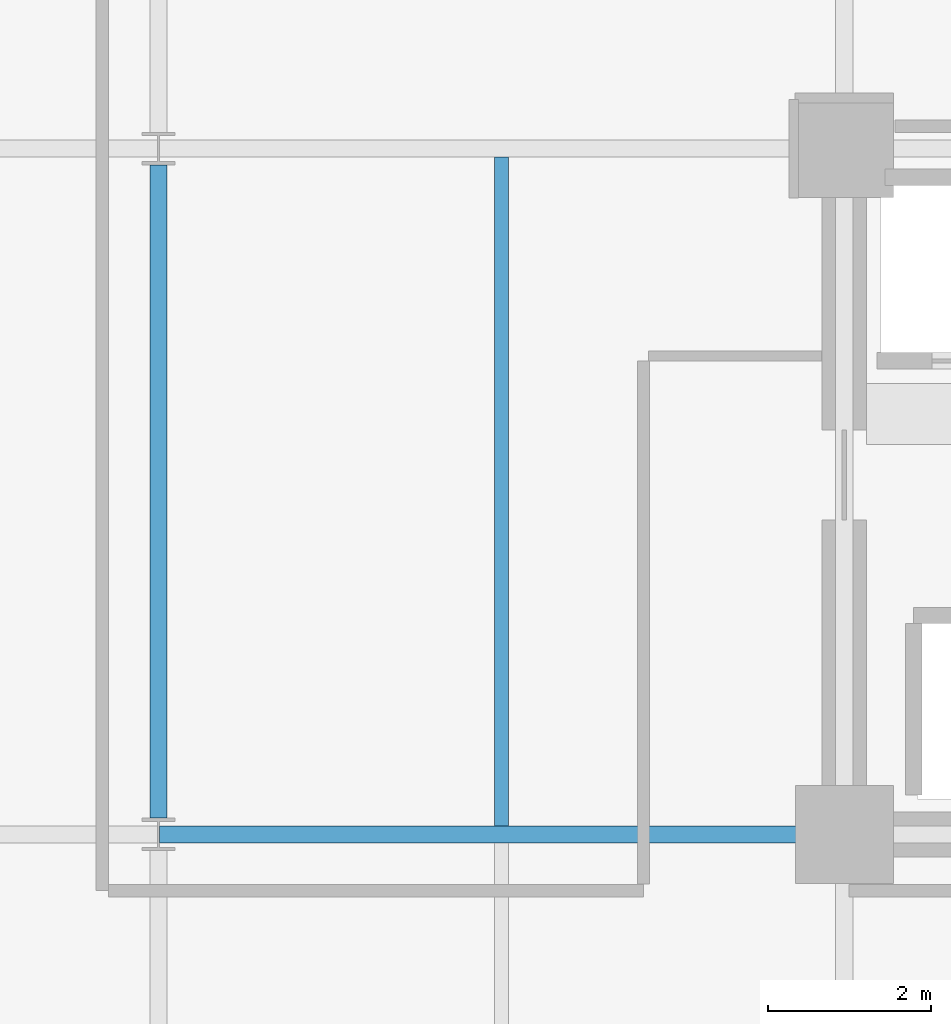
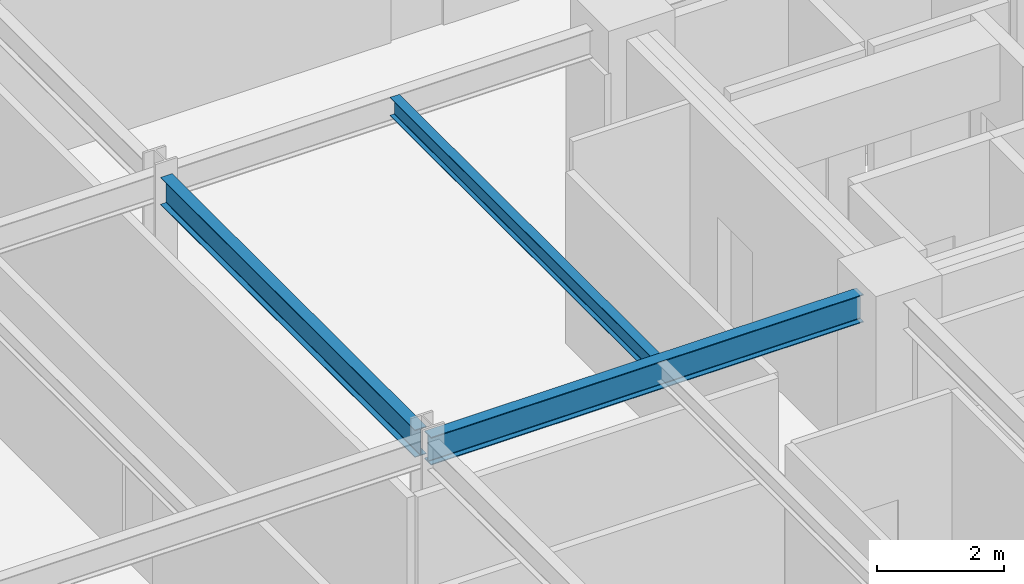
# One storey, part 5 of 30: 3 beams.
"""IFC4 building model written with IfcOpenShell, lengths in metres."""

from ifc_helpers import new_model, si_unit, direction, frame, origin, origin_2d, place, context, subcontext, project, spatial, i_section, extrude, material, material_profile, profile_set, type_object, element, save


model = new_model("IFC4")

# Units and contexts
model_context = context("Model", 3, precision=1e-05, world=origin(), true_north=direction((0.0, 1.0)))
body_context = subcontext(model_context, "Body", "Model", "MODEL_VIEW")
ifc_project = project(units=[si_unit("LENGTHUNIT", "METRE"), si_unit("AREAUNIT", "SQUARE_METRE"), si_unit("VOLUMEUNIT", "CUBIC_METRE"), si_unit("PLANEANGLEUNIT", "RADIAN"), si_unit("MASSUNIT", "GRAM", prefix="KILO")], contexts=[model_context])

# Site, building, storey
site_placement = place(None, origin())
site = spatial("IfcSite", under=ifc_project, at=site_placement, CompositionType="ELEMENT")
building_placement = place(site_placement, origin())
building = spatial("IfcBuilding", under=site, at=building_placement, Name="Nerrivon Quay Data Exchange", CompositionType="ELEMENT")
storey_placement = place(building_placement, frame((0.0, 0.0, 117.199951171875)))
storey = spatial("IfcBuildingStorey", under=building, at=storey_placement, Name="L27", CompositionType="ELEMENT", Elevation=117.199951171875)

# Beams
ifc_material = material(Name="Steel Grade 350", Category="steel")
ifc_material_profile_1 = material_profile(ifc_material, i_section(OverallWidth=0.208984375, OverallDepth=0.532958984375, WebThickness=0.01025390625, FlangeThickness=0.015625, FilletRadius=0.013916015625, at=origin_2d()), Name="530UB92.4")
ifc_profile_set_1 = profile_set([ifc_material_profile_1], Name="Steel Grade 350")
beam_type_1 = type_object("IfcBeamType", Name="BM-G3-530UB92", PredefinedType="BEAM", material=ifc_profile_set_1)
beam_1_placement = place(storey_placement, frame((8.41259765625, 8.39990234375, 3.55859375), z_axis=(1.0, 0.0, 0.0), x_axis=(0.0, 1.0, 0.0)))
element("IfcBeam", 1, at=beam_1_placement, inside=storey, type_object=beam_type_1, Name="L27 EW Girder Y=8.4 (8.4..16.8)", PredefinedType="BEAM", context=body_context, shape_type="SweptSolid", body=[
    extrude(i_section(OverallWidth=0.208984375, OverallDepth=0.532958984375, WebThickness=0.01025390625, FlangeThickness=0.015625, FilletRadius=0.013916015625, at=origin_2d()), origin(), (0.0, 0.0, 1.0), 7.847412109375),
])
ifc_material_profile_2 = material_profile(ifc_material, i_section(OverallWidth=0.208984375, OverallDepth=0.528076171875, WebThickness=0.009521484375, FlangeThickness=0.01318359375, FilletRadius=0.013916015625, at=origin_2d()), Name="530UB82.0")
ifc_profile_set_2 = profile_set([ifc_material_profile_2], Name="Steel Grade 350")
beam_type_2 = type_object("IfcBeamType", Name="BM-G4-530UB82", PredefinedType="BEAM", material=ifc_profile_set_2)
beam_2_placement = place(storey_placement, frame((8.39990234375, 8.60009765625, 3.56103515625), z_axis=(0.0, 1.0, 0.0), x_axis=(-1.0, 0.0, 0.0)))
element("IfcBeam", 2, at=beam_2_placement, inside=storey, type_object=beam_type_2, Name="L27 NS Girder X=8.4 (8.4..16.8)", PredefinedType="BEAM", context=body_context, shape_type="SweptSolid", body=[
    extrude(i_section(OverallWidth=0.208984375, OverallDepth=0.528076171875, WebThickness=0.009521484375, FlangeThickness=0.01318359375, FilletRadius=0.013916015625, at=origin_2d()), origin(), (0.0, 0.0, 1.0), 8.0),
])
ifc_material_profile_3 = material_profile(ifc_material, i_section(OverallWidth=0.1708984375, OverallDepth=0.35595703125, WebThickness=0.00732421875, FlangeThickness=0.011474609375, FilletRadius=0.011474609375, at=origin_2d()), Name="360UB50.7")
ifc_profile_set_3 = profile_set([ifc_material_profile_3], Name="Steel Grade 350")
beam_type_3 = type_object("IfcBeamType", Name="BM-J4-360UB51", PredefinedType="JOIST", material=ifc_profile_set_3)
beam_3_placement = place(storey_placement, frame((12.60009765625, 8.50439453125, 3.64697265625), z_axis=(0.0, 1.0, 0.0), x_axis=(-1.0, 0.0, 0.0)))
element("IfcBeam", 3, at=beam_3_placement, inside=storey, type_object=beam_type_3, Name="L27 Secondary Joist X=12.6 (8.4..16.8)", PredefinedType="JOIST", context=body_context, shape_type="SweptSolid", body=[
    extrude(i_section(OverallWidth=0.1708984375, OverallDepth=0.35595703125, WebThickness=0.00732421875, FlangeThickness=0.011474609375, FilletRadius=0.011474609375, at=origin_2d()), origin(), (0.0, 0.0, 1.0), 8.191162109375),
])

save(model, "model.ifc")
